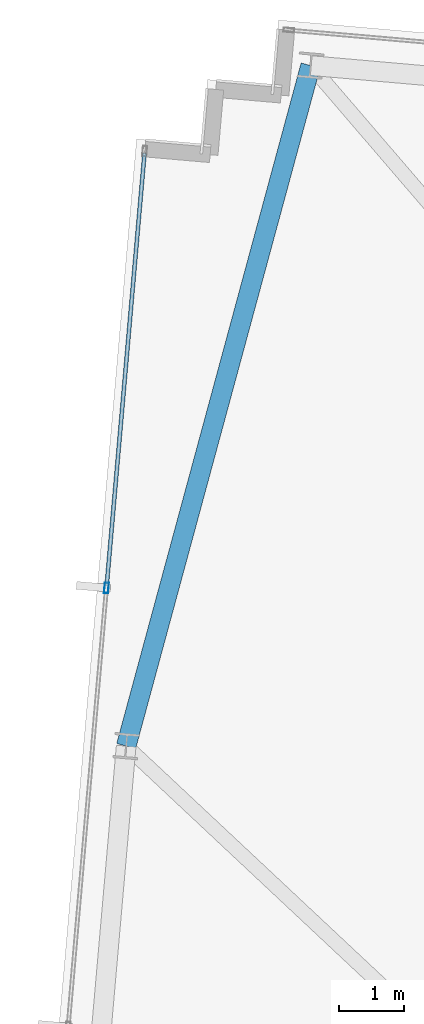
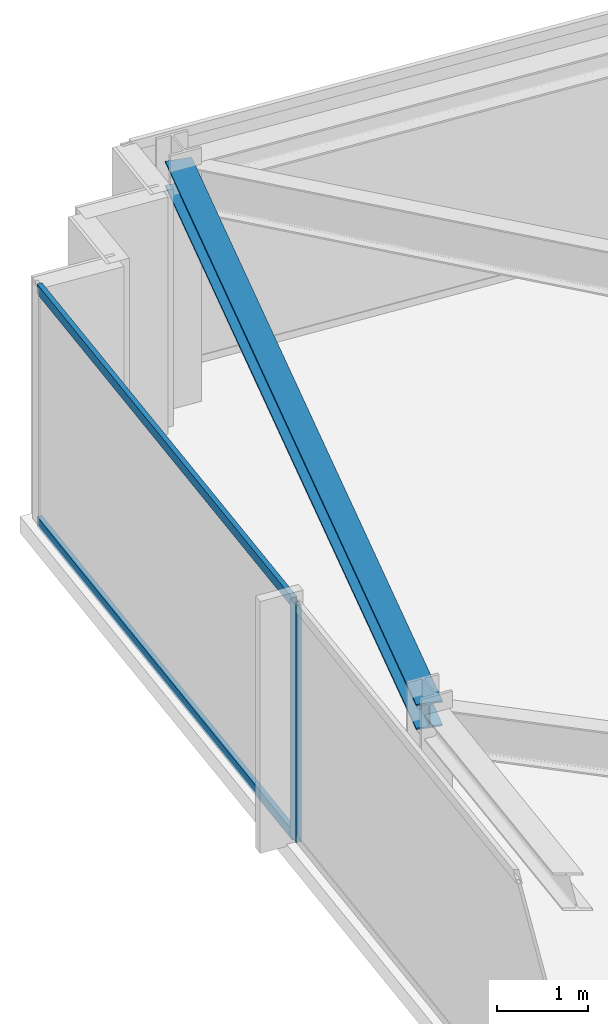
# One storey, part 11 of 32: 3 members, 1 beam, 1 element without a shape of its own.
"""IFC4 building model written with IfcOpenShell, lengths in metres."""

from ifc_helpers import new_model, si_unit, direction, frame, origin, origin_2d, place, context, subcontext, project, spatial, hollow_rectangle, i_section, extrude, material, material_profile, profile_set, type_object, element, aggregate, save


model = new_model("IFC4")

# Units and contexts
model_context = context("Model", 3, precision=1e-05, world=origin(), true_north=direction((0.0, 1.0)))
body_context = subcontext(model_context, "Body", "Model", "MODEL_VIEW")
ifc_project = project(units=[si_unit("LENGTHUNIT", "METRE"), si_unit("AREAUNIT", "SQUARE_METRE"), si_unit("VOLUMEUNIT", "CUBIC_METRE"), si_unit("PLANEANGLEUNIT", "RADIAN"), si_unit("MASSUNIT", "GRAM", prefix="KILO")], contexts=[model_context])

# Site, building, storey
site_placement = place(None, origin())
site = spatial("IfcSite", under=ifc_project, at=site_placement, CompositionType="ELEMENT")
building_placement = place(site_placement, origin())
building = spatial("IfcBuilding", under=site, at=building_placement, Name="Yelkora Congress Tower", CompositionType="ELEMENT")
storey_placement = place(building_placement, frame((0.0, 0.0, 279.5)))
storey = spatial("IfcBuildingStorey", under=building, at=storey_placement, Name="L78", CompositionType="ELEMENT", Elevation=279.5)

# Beam
ifc_material_1 = material(Name="Steel S355J2", Category="steel")
ifc_material_profile_1 = material_profile(ifc_material_1, i_section(OverallWidth=0.300048828125, OverallDepth=0.340087890625, WebThickness=0.011962890625, FlangeThickness=0.021484375, FilletRadius=0.027099609375, at=origin_2d()), Name="HEB 340")
ifc_profile_set_1 = profile_set([ifc_material_profile_1], Name="Steel S355J2")
beam_type = type_object("IfcBeamType", Name="BM-SPAN-HEB340", PredefinedType="SPANDREL", material=ifc_profile_set_1)
beam_placement = place(storey_placement, frame((10.60400390625, 49.884033203125, 3.010009765625), z_axis=(-0.261553643334, -0.965188940912, 0.0), x_axis=(0.965188940912, -0.261553643334, 0.0)))
element("IfcBeam", 1, at=beam_placement, inside=storey, type_object=beam_type, Name="L78 Perimeter Beam 13", PredefinedType="SPANDREL", context=body_context, shape_type="SweptSolid", body=[
    extrude(i_section(OverallWidth=0.300048828125, OverallDepth=0.340087890625, WebThickness=0.011962890625, FlangeThickness=0.021484375, FilletRadius=0.027099609375, at=origin_2d()), origin(), (0.0, 0.0, 1.0), 10.768798828125),
])

# Curtain wall, members
ifc_material_2 = material(Name="Anodised aluminium and insulated glass", Category="aluminium")
curtain_wall_type = type_object("IfcCurtainWallType", Name="CW-SYS-B5", PredefinedType="NOTDEFINED", material=ifc_material_2)
curtain_wall_placement = place(storey_placement, origin())
curtain_wall = element("IfcCurtainWall", 2, at=curtain_wall_placement, inside=storey, type_object=curtain_wall_type, Name="L78 Unitised Curtain Wall 5", PredefinedType="NOTDEFINED")
ifc_material_3 = material(Name="Anodised aluminium 6063-T6", Category="aluminium")
ifc_material_profile_2 = material_profile(ifc_material_3, hollow_rectangle(XDim=0.06494140625, YDim=0.159912109375, WallThickness=0.00390625, at=origin_2d()), Name="ALU 65x160x4")
ifc_profile_set_2 = profile_set([ifc_material_profile_2], Name="Anodised aluminium 6063-T6")
member_type_1 = type_object("IfcMemberType", Name="MEM-ML-B5", PredefinedType="MULLION", material=ifc_profile_set_2)
member_1_placement = place(storey_placement, frame((7.48681640625, 41.9052734375, 0.0), z_axis=(0.0, 0.0, 1.0), x_axis=(-0.996194785929, 0.08715473876, 0.0)))
member_1 = element("IfcMember", 3, at=member_1_placement, type_object=member_type_1, Name="CW-B5 mullion 4", PredefinedType="MULLION", context=body_context, shape_type="SweptSolid", body=[
    extrude(hollow_rectangle(XDim=0.06494140625, YDim=0.159912109375, WallThickness=0.00390625, at=origin_2d()), origin(), (0.0, 0.0, 1.0), 3.179931640625),
])
ifc_material_profile_3 = material_profile(ifc_material_3, hollow_rectangle(XDim=0.06005859375, YDim=0.1298828125, WallThickness=0.00390625, at=origin_2d()), Name="ALU 60x130x4")
ifc_profile_set_3 = profile_set([ifc_material_profile_3], Name="Anodised aluminium 6063-T6")
member_type_2 = type_object("IfcMemberType", Name="MEM-TR-B5", PredefinedType="USERDEFINED", material=ifc_profile_set_3)
member_2_placement = place(storey_placement, frame((7.489501953125, 41.937744140625, 0.030029296875), z_axis=(0.08716649365, 0.996193757451, 0.0), x_axis=(-0.996193757451, 0.08716649365, 0.0)))
member_2 = element("IfcMember", 4, at=member_2_placement, type_object=member_type_2, Name="CW-B5 transom 4.1", ObjectType="TRANSOM", PredefinedType="USERDEFINED", context=body_context, shape_type="SweptSolid", body=[
    extrude(hollow_rectangle(XDim=0.06005859375, YDim=0.1298828125, WallThickness=0.00390625, at=origin_2d()), origin(), (0.0, 0.0, 1.0), 6.63232421875),
])
member_3_placement = place(storey_placement, frame((7.489501953125, 41.937744140625, 3.14990234375), z_axis=(0.08716649365, 0.996193757451, 0.0), x_axis=(-0.996193757451, 0.08716649365, 0.0)))
member_3 = element("IfcMember", 5, at=member_3_placement, type_object=member_type_2, Name="CW-B5 transom 4.2", ObjectType="TRANSOM", PredefinedType="USERDEFINED", context=body_context, shape_type="SweptSolid", body=[
    extrude(hollow_rectangle(XDim=0.06005859375, YDim=0.1298828125, WallThickness=0.00390625, at=origin_2d()), origin(), (0.0, 0.0, 1.0), 6.63232421875),
])
aggregate(curtain_wall, [member_1, member_2, member_3])

save(model, "model.ifc")
